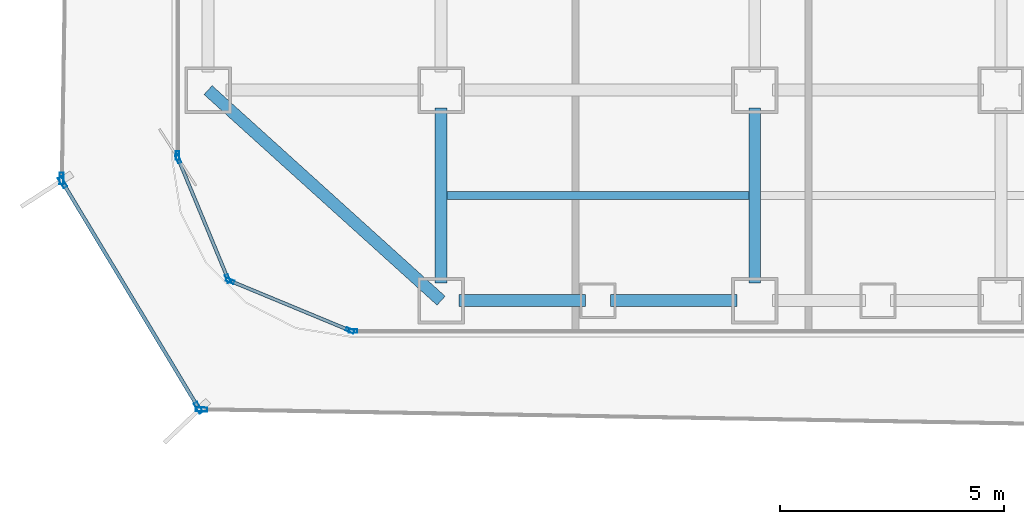
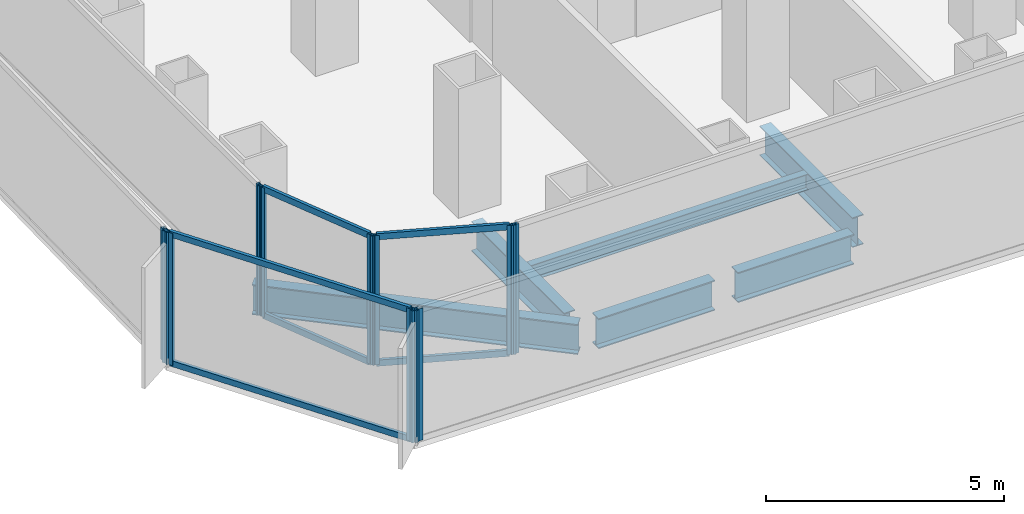
# One storey, part 2 of 22: 16 members, 6 beams, 7 elements without a shape of their own.
"""IFC4 building model written with IfcOpenShell, lengths in metres."""

from ifc_helpers import new_model, si_unit, direction, frame, origin, origin_2d, place, context, subcontext, project, spatial, hollow_rectangle, i_section, extrude, source, transform, mapped, material, layer, layer_set, material_profile, profile_set, type_object, element, aggregate, save


model = new_model("IFC4")

# Units and contexts
model_context = context("Model", 3, precision=1e-05, world=origin(), true_north=direction((0.0, 1.0)))
body_context = subcontext(model_context, "Body", "Model", "MODEL_VIEW")
ifc_project = project(units=[si_unit("LENGTHUNIT", "METRE"), si_unit("AREAUNIT", "SQUARE_METRE"), si_unit("VOLUMEUNIT", "CUBIC_METRE"), si_unit("PLANEANGLEUNIT", "RADIAN"), si_unit("MASSUNIT", "GRAM", prefix="KILO")], contexts=[model_context])

# Site, building, storey
site_placement = place(None, origin())
site = spatial("IfcSite", under=ifc_project, at=site_placement, CompositionType="ELEMENT")
building_placement = place(site_placement, origin())
building = spatial("IfcBuilding", under=site, at=building_placement, Name="Kolveth Station Tower", CompositionType="ELEMENT")
storey_placement = place(building_placement, frame((0.0, 0.0, 54.89990234375)))
storey = spatial("IfcBuildingStorey", under=building, at=storey_placement, Name="L14", CompositionType="ELEMENT", Elevation=54.89990234375)

# Beams
ifc_material_1 = material(Name="Steel S355", Category="steel")
ifc_material_profile_1 = material_profile(ifc_material_1, i_section(OverallWidth=0.26904296875, OverallDepth=0.77490234375, WebThickness=0.01708984375, FlangeThickness=0.0283203125, at=origin_2d()), Name="W760x220")
ifc_profile_set_1 = profile_set([ifc_material_profile_1], Name="Steel S355")
beam_type_1 = type_object("IfcBeamType", Name="Beam_SP1", PredefinedType="SPANDREL", material=ifc_profile_set_1)
shared_shape_1 = source(origin(), body_context, "Body", "SweptSolid", [
    extrude(i_section(OverallWidth=0.26904296875, OverallDepth=0.77490234375, WebThickness=0.01708984375, FlangeThickness=0.0283203125, at=origin_2d()), origin(), (0.0, 0.0, 1.0), 7.00927734375),
])
beam_1_placement = place(storey_placement, frame((0.800048828125, 5.5, -0.66748046875), z_axis=(0.741874009795, -0.670539300557, 0.0), x_axis=(0.670539300557, 0.741874009795, 0.0)))
element("IfcBeam", 1, at=beam_1_placement, inside=storey, type_object=beam_type_1, Name="L14 Corner Edge Girder BM-L14-CNR-SW", PredefinedType="SPANDREL", context=body_context, shape_type="MappedRepresentation", body=[
    mapped(shared_shape_1, transform((0.0, 0.0, 0.0), x_axis=(1.0, 0.0, 0.0), y_axis=(0.0, 1.0, 0.0), z_axis=(0.0, 0.0, 1.0), scale=1.0)),
])
shared_shape_2 = source(origin(), body_context, "Body", "SweptSolid", [
    extrude(i_section(OverallWidth=0.26904296875, OverallDepth=0.77490234375, WebThickness=0.01708984375, FlangeThickness=0.0283203125, at=origin_2d()), origin(), (0.0, 0.0, 1.0), 2.820068359375),
])
for number, where, z_axis, x_axis, name in (
    (2, (6.39990234375, 0.800048828125, -0.66748046875), (1.0, 0.0, 0.0), (0.0, 1.0, 0.0), "L14 Perimeter Spandrel BM-L14-PS-1"),
    (3, (9.780029296875, 0.800048828125, -0.66748046875), (1.0, 0.0, 0.0), (0.0, 1.0, 0.0), "L14 Perimeter Spandrel BM-L14-PS-2"),
):
    element("IfcBeam", number, at=place(storey_placement, frame(where, z_axis=z_axis, x_axis=x_axis)), inside=storey, type_object=beam_type_1, Name=name, PredefinedType="SPANDREL", context=body_context, shape_type="MappedRepresentation", body=[
        mapped(shared_shape_2, transform((0.0, 0.0, 0.0), x_axis=(1.0, 0.0, 0.0), y_axis=(0.0, 1.0, 0.0), z_axis=(0.0, 0.0, 1.0), scale=1.0)),
    ])
ifc_material_profile_2 = material_profile(ifc_material_1, i_section(OverallWidth=0.26708984375, OverallDepth=0.76611328125, WebThickness=0.014892578125, FlangeThickness=0.023681640625, at=origin_2d()), Name="W760x185")
ifc_profile_set_2 = profile_set([ifc_material_profile_2], Name="Steel S355")
beam_type_2 = type_object("IfcBeamType", Name="Beam_B3", PredefinedType="BEAM", material=ifc_profile_set_2)
shared_shape_3 = source(origin(), body_context, "Body", "SweptSolid", [
    extrude(i_section(OverallWidth=0.26708984375, OverallDepth=0.76611328125, WebThickness=0.014892578125, FlangeThickness=0.023681640625, at=origin_2d()), origin(), (0.0, 0.0, 1.0), 3.900146484375),
])
for number, where, z_axis, x_axis, name in (
    (4, (6.0, 1.199951171875, -0.662841796875), (0.0, 1.0, 0.0), (-1.0, 0.0, 0.0), "L14 Primary Girder BM-L14-GX60-1"),
    (5, (13.0, 1.199951171875, -0.662841796875), (0.0, 1.0, 0.0), (-1.0, 0.0, 0.0), "L14 Primary Girder BM-L14-GX130-1"),
):
    element("IfcBeam", number, at=place(storey_placement, frame(where, z_axis=z_axis, x_axis=x_axis)), inside=storey, type_object=beam_type_2, Name=name, PredefinedType="BEAM", context=body_context, shape_type="MappedRepresentation", body=[
        mapped(shared_shape_3, transform((0.0, 0.0, 0.0), x_axis=(1.0, 0.0, 0.0), y_axis=(0.0, 1.0, 0.0), z_axis=(0.0, 0.0, 1.0), scale=1.0)),
    ])
ifc_material_profile_3 = material_profile(ifc_material_1, i_section(OverallWidth=0.177978515625, OverallDepth=0.406982421875, WebThickness=0.0078125, FlangeThickness=0.0126953125, at=origin_2d()), Name="W410x60")
ifc_profile_set_3 = profile_set([ifc_material_profile_3], Name="Steel S355")
beam_type_3 = type_object("IfcBeamType", Name="Beam_J1", PredefinedType="JOIST", material=ifc_profile_set_3)
shared_shape_4 = source(origin(), body_context, "Body", "SweptSolid", [
    extrude(i_section(OverallWidth=0.177978515625, OverallDepth=0.406982421875, WebThickness=0.0078125, FlangeThickness=0.0126953125, at=origin_2d()), origin(), (0.0, 0.0, 1.0), 6.73681640625),
])
beam_2_placement = place(storey_placement, frame((6.131591796875, 3.14990234375, -0.4833984375), z_axis=(1.0, 0.0, 0.0), x_axis=(0.0, 1.0, 0.0)))
element("IfcBeam", 6, at=beam_2_placement, inside=storey, type_object=beam_type_3, Name="L14 Secondary Joist JST-L14-2-1", PredefinedType="JOIST", context=body_context, shape_type="MappedRepresentation", body=[
    mapped(shared_shape_4, transform((0.0, 0.0, 0.0), x_axis=(1.0, 0.0, 0.0), y_axis=(0.0, 1.0, 0.0), z_axis=(0.0, 0.0, 1.0), scale=1.0)),
])

# Curtain wall, member
ifc_material_2 = material(Name="Aluminium 6063-T6 and low-E dark glass", Category="aluminium")
ifc_layer_1 = layer(ifc_material_2, 0.179931640625)
ifc_layer_set_1 = layer_set([ifc_layer_1], Name="Aluminium 6063-T6 and low-E dark glass")
curtain_wall_type_1 = type_object("IfcCurtainWallType", Name="CurtainWall_CW-Z1", PredefinedType="NOTDEFINED", material=ifc_layer_set_1)
curtain_wall_1_placement = place(storey_placement, origin())
curtain_wall_1 = element("IfcCurtainWall", 7, at=curtain_wall_1_placement, inside=storey, type_object=curtain_wall_type_1, Name="L14 Inner Thermal Curtain Wall 9", PredefinedType="NOTDEFINED")
ifc_material_3 = material(Name="Black anodized aluminium 6063-T6", Category="aluminium")
ifc_material_profile_4 = material_profile(ifc_material_3, hollow_rectangle(XDim=0.074951171875, YDim=0.18994140625, WallThickness=0.0048828125, at=origin_2d()), Name="ALU-75x190x5")
ifc_profile_set_4 = profile_set([ifc_material_profile_4], Name="Black anodized aluminium 6063-T6")
member_type_1 = type_object("IfcMemberType", Name="Mullion_ML1", PredefinedType="MULLION", material=ifc_profile_set_4)
shared_shape_5 = source(origin(), body_context, "Body", "SweptSolid", [
    extrude(hollow_rectangle(XDim=0.074951171875, YDim=0.18994140625, WallThickness=0.0048828125, at=origin_2d()), origin(), (0.0, 0.0, 1.0), 3.320068359375),
])
member_1_placement = place(storey_placement, frame((0.1201171875, 4.03759765625, 0.0), z_axis=(0.0, 0.0, 1.0), x_axis=(1.0, 0.0, 0.0)))
member_1 = element("IfcMember", 8, at=member_1_placement, type_object=member_type_1, Name="CW-Z1 mullion 2", PredefinedType="MULLION", context=body_context, shape_type="MappedRepresentation", body=[
    mapped(shared_shape_5, transform((0.0, 0.0, 0.0), x_axis=(1.0, 0.0, 0.0), y_axis=(0.0, 1.0, 0.0), z_axis=(0.0, 0.0, 1.0), scale=1.0)),
])
aggregate(curtain_wall_1, [member_1])

# Curtain wall, members
curtain_wall_2_placement = place(storey_placement, origin())
curtain_wall_2 = element("IfcCurtainWall", 9, at=curtain_wall_2_placement, inside=storey, type_object=curtain_wall_type_1, Name="L14 Inner Thermal Curtain Wall 10", PredefinedType="NOTDEFINED")
member_2_placement = place(storey_placement, frame((0.13427734375, 3.96533203125, 0.0), z_axis=(0.0, 0.0, 1.0), x_axis=(0.923883857728, 0.382672990201, 0.0)))
member_2 = element("IfcMember", 10, at=member_2_placement, type_object=member_type_1, Name="CW-Z1 mullion 1", PredefinedType="MULLION", context=body_context, shape_type="MappedRepresentation", body=[
    mapped(shared_shape_5, transform((0.0, 0.0, 0.0), x_axis=(1.0, 0.0, 0.0), y_axis=(0.0, 1.0, 0.0), z_axis=(0.0, 0.0, 1.0), scale=1.0)),
])
member_3_placement = place(storey_placement, frame((1.241943359375, 1.291015625, 0.0), z_axis=(0.0, 0.0, 1.0), x_axis=(0.923883857728, 0.382672990201, 0.0)))
member_3 = element("IfcMember", 11, at=member_3_placement, type_object=member_type_1, Name="CW-Z1 mullion 2", PredefinedType="MULLION", context=body_context, shape_type="MappedRepresentation", body=[
    mapped(shared_shape_5, transform((0.0, 0.0, 0.0), x_axis=(1.0, 0.0, 0.0), y_axis=(0.0, 1.0, 0.0), z_axis=(0.0, 0.0, 1.0), scale=1.0)),
])

curtain_wall_3_placement = place(storey_placement, origin())
curtain_wall_3 = element("IfcCurtainWall", 12, at=curtain_wall_3_placement, inside=storey, type_object=curtain_wall_type_1, Name="L14 Inner Thermal Curtain Wall 11", PredefinedType="NOTDEFINED")
member_4_placement = place(storey_placement, frame((1.291015625, 1.241943359375, 0.0), z_axis=(0.0, 0.0, 1.0), x_axis=(0.382672990201, 0.923883857728, 0.0)))
member_4 = element("IfcMember", 13, at=member_4_placement, type_object=member_type_1, Name="CW-Z1 mullion 1", PredefinedType="MULLION", context=body_context, shape_type="MappedRepresentation", body=[
    mapped(shared_shape_5, transform((0.0, 0.0, 0.0), x_axis=(1.0, 0.0, 0.0), y_axis=(0.0, 1.0, 0.0), z_axis=(0.0, 0.0, 1.0), scale=1.0)),
])
member_5_placement = place(storey_placement, frame((3.96533203125, 0.13427734375, 0.0), z_axis=(0.0, 0.0, 1.0), x_axis=(0.382672990201, 0.923883857728, 0.0)))
member_5 = element("IfcMember", 14, at=member_5_placement, type_object=member_type_1, Name="CW-Z1 mullion 2", PredefinedType="MULLION", context=body_context, shape_type="MappedRepresentation", body=[
    mapped(shared_shape_5, transform((0.0, 0.0, 0.0), x_axis=(1.0, 0.0, 0.0), y_axis=(0.0, 1.0, 0.0), z_axis=(0.0, 0.0, 1.0), scale=1.0)),
])

# Curtain wall, member
curtain_wall_4_placement = place(storey_placement, origin())
curtain_wall_4 = element("IfcCurtainWall", 15, at=curtain_wall_4_placement, inside=storey, type_object=curtain_wall_type_1, Name="L14 Inner Thermal Curtain Wall 12", PredefinedType="NOTDEFINED")
member_6_placement = place(storey_placement, frame((4.03759765625, 0.1201171875, 0.0), z_axis=(0.0, 0.0, 1.0), x_axis=(0.0, 1.0, 0.0)))
member_6 = element("IfcMember", 16, at=member_6_placement, type_object=member_type_1, Name="CW-Z1 mullion 1", PredefinedType="MULLION", context=body_context, shape_type="MappedRepresentation", body=[
    mapped(shared_shape_5, transform((0.0, 0.0, 0.0), x_axis=(1.0, 0.0, 0.0), y_axis=(0.0, 1.0, 0.0), z_axis=(0.0, 0.0, 1.0), scale=1.0)),
])
aggregate(curtain_wall_4, [member_6])

# Member
ifc_material_profile_5 = material_profile(ifc_material_3, hollow_rectangle(XDim=0.074951171875, YDim=0.159912109375, WallThickness=0.0048828125, at=origin_2d()), Name="ALU-75x160x5")
ifc_profile_set_5 = profile_set([ifc_material_profile_5], Name="Black anodized aluminium 6063-T6")
member_type_2 = type_object("IfcMemberType", Name="Transom_TR1", PredefinedType="USERDEFINED", material=ifc_profile_set_5)
shared_shape_6 = source(origin(), body_context, "Body", "SweptSolid", [
    extrude(hollow_rectangle(XDim=0.074951171875, YDim=0.159912109375, WallThickness=0.0048828125, at=origin_2d()), origin(), (0.0, 0.0, 1.0), 2.819580078125),
])
member_7_placement = place(storey_placement, frame((0.148681640625, 3.9306640625, 0.03759765625), z_axis=(0.382708655389, -0.923869084389, 0.0), x_axis=(0.923869084389, 0.382708655389, 0.0)))
member_7 = element("IfcMember", 17, at=member_7_placement, type_object=member_type_2, Name="CW-Z1 transom 1.1", ObjectType="TRANSOM", PredefinedType="USERDEFINED", context=body_context, shape_type="MappedRepresentation", body=[
    mapped(shared_shape_6, transform((0.0, 0.0, 0.0), x_axis=(1.0, 0.0, 0.0), y_axis=(0.0, 1.0, 0.0), z_axis=(0.0, 0.0, 1.0), scale=1.0)),
])

member_8_placement = place(storey_placement, frame((0.148681640625, 3.9306640625, 3.28271484375), z_axis=(0.382708655389, -0.923869084389, 0.0), x_axis=(0.923869084389, 0.382708655389, 0.0)))
member_8 = element("IfcMember", 18, at=member_8_placement, type_object=member_type_2, Name="CW-Z1 transom 1.2", ObjectType="TRANSOM", PredefinedType="USERDEFINED", context=body_context, shape_type="MappedRepresentation", body=[
    mapped(shared_shape_6, transform((0.0, 0.0, 0.0), x_axis=(1.0, 0.0, 0.0), y_axis=(0.0, 1.0, 0.0), z_axis=(0.0, 0.0, 1.0), scale=1.0)),
])

aggregate(curtain_wall_2, [member_2, member_3, member_7, member_8])

member_9_placement = place(storey_placement, frame((1.32568359375, 1.227783203125, 0.03759765625), z_axis=(0.923869084389, -0.382708655389, 0.0), x_axis=(0.382708655389, 0.923869084389, 0.0)))
member_9 = element("IfcMember", 19, at=member_9_placement, type_object=member_type_2, Name="CW-Z1 transom 1.1", ObjectType="TRANSOM", PredefinedType="USERDEFINED", context=body_context, shape_type="MappedRepresentation", body=[
    mapped(shared_shape_6, transform((0.0, 0.0, 0.0), x_axis=(1.0, 0.0, 0.0), y_axis=(0.0, 1.0, 0.0), z_axis=(0.0, 0.0, 1.0), scale=1.0)),
])

member_10_placement = place(storey_placement, frame((1.32568359375, 1.227783203125, 3.28271484375), z_axis=(0.923869084389, -0.382708655389, 0.0), x_axis=(0.382708655389, 0.923869084389, 0.0)))
member_10 = element("IfcMember", 20, at=member_10_placement, type_object=member_type_2, Name="CW-Z1 transom 1.2", ObjectType="TRANSOM", PredefinedType="USERDEFINED", context=body_context, shape_type="MappedRepresentation", body=[
    mapped(shared_shape_6, transform((0.0, 0.0, 0.0), x_axis=(1.0, 0.0, 0.0), y_axis=(0.0, 1.0, 0.0), z_axis=(0.0, 0.0, 1.0), scale=1.0)),
])

aggregate(curtain_wall_3, [member_4, member_5, member_9, member_10])

# Curtain wall, member
ifc_material_4 = material(Name="Black anodized aluminium 6063-T6 and dark solar glass", Category="aluminium")
ifc_layer_2 = layer(ifc_material_4, 0.159912109375)
ifc_layer_set_2 = layer_set([ifc_layer_2], Name="Black anodized aluminium 6063-T6 and dark solar glass")
curtain_wall_type_2 = type_object("IfcCurtainWallType", Name="OUTER SKIN CW-OS", PredefinedType="NOTDEFINED", material=ifc_layer_set_2)
curtain_wall_5_placement = place(storey_placement, origin())
curtain_wall_5 = element("IfcCurtainWall", 21, at=curtain_wall_5_placement, inside=storey, type_object=curtain_wall_type_2, Name="L14 Outer Ventilated Skin Curtain Wall 6", PredefinedType="NOTDEFINED")
ifc_material_profile_6 = material_profile(ifc_material_3, hollow_rectangle(XDim=0.090087890625, YDim=0.260009765625, WallThickness=0.0048828125, at=origin_2d()), Name="ALU-90x260x5")
ifc_profile_set_6 = profile_set([ifc_material_profile_6], Name="Black anodized aluminium 6063-T6")
member_type_3 = type_object("IfcMemberType", Name="FIN MULLION ML-OS", PredefinedType="MULLION", material=ifc_profile_set_6)
shared_shape_7 = source(origin(), body_context, "Body", "SweptSolid", [
    extrude(hollow_rectangle(XDim=0.090087890625, YDim=0.260009765625, WallThickness=0.0048828125, at=origin_2d()), origin(), (0.0, 0.0, 1.0), 3.39013671875),
])
member_11_placement = place(storey_placement, frame((-2.468994140625, 3.525390625, 0.0), z_axis=(0.0, 0.0, 1.0), x_axis=(0.999877673024, -0.015640939495, 0.0)))
member_11 = element("IfcMember", 22, at=member_11_placement, type_object=member_type_3, Name="CW-OS mullion 2", PredefinedType="MULLION", context=body_context, shape_type="MappedRepresentation", body=[
    mapped(shared_shape_7, transform((0.0, 0.0, 0.0), x_axis=(1.0, 0.0, 0.0), y_axis=(0.0, 1.0, 0.0), z_axis=(0.0, 0.0, 1.0), scale=1.0)),
])
aggregate(curtain_wall_5, [member_11])

# Curtain wall, members
curtain_wall_6_placement = place(storey_placement, origin())
curtain_wall_6 = element("IfcCurtainWall", 23, at=curtain_wall_6_placement, inside=storey, type_object=curtain_wall_type_2, Name="L14 Outer Ventilated Skin Curtain Wall 7", PredefinedType="NOTDEFINED")
member_12_placement = place(storey_placement, frame((-2.4462890625, 3.44189453125, 0.0), z_axis=(0.0, 0.0, 1.0), x_axis=(0.856670378823, 0.515864189537, 0.0)))
member_12 = element("IfcMember", 24, at=member_12_placement, type_object=member_type_3, Name="CW-OS mullion 1", PredefinedType="MULLION", context=body_context, shape_type="MappedRepresentation", body=[
    mapped(shared_shape_7, transform((0.0, 0.0, 0.0), x_axis=(1.0, 0.0, 0.0), y_axis=(0.0, 1.0, 0.0), z_axis=(0.0, 0.0, 1.0), scale=1.0)),
])
member_13_placement = place(storey_placement, frame((0.58251953125, -1.587890625, 0.0), z_axis=(0.0, 0.0, 1.0), x_axis=(0.856670378823, 0.515864189537, 0.0)))
member_13 = element("IfcMember", 25, at=member_13_placement, type_object=member_type_3, Name="CW-OS mullion 2", PredefinedType="MULLION", context=body_context, shape_type="MappedRepresentation", body=[
    mapped(shared_shape_7, transform((0.0, 0.0, 0.0), x_axis=(1.0, 0.0, 0.0), y_axis=(0.0, 1.0, 0.0), z_axis=(0.0, 0.0, 1.0), scale=1.0)),
])

# Curtain wall, member
curtain_wall_7_placement = place(storey_placement, origin())
curtain_wall_7 = element("IfcCurtainWall", 26, at=curtain_wall_7_placement, inside=storey, type_object=curtain_wall_type_2, Name="L14 Outer Ventilated Skin Curtain Wall 8", PredefinedType="NOTDEFINED")
member_14_placement = place(storey_placement, frame((0.650634765625, -1.627197265625, 0.0), z_axis=(0.0, 0.0, 1.0), x_axis=(0.017338783395, 0.999849671996, 0.0)))
member_14 = element("IfcMember", 27, at=member_14_placement, type_object=member_type_3, Name="CW-OS mullion 1", PredefinedType="MULLION", context=body_context, shape_type="MappedRepresentation", body=[
    mapped(shared_shape_7, transform((0.0, 0.0, 0.0), x_axis=(1.0, 0.0, 0.0), y_axis=(0.0, 1.0, 0.0), z_axis=(0.0, 0.0, 1.0), scale=1.0)),
])
aggregate(curtain_wall_7, [member_14])

# Member
ifc_material_profile_7 = material_profile(ifc_material_3, hollow_rectangle(XDim=0.080078125, YDim=0.14990234375, WallThickness=0.0048828125, at=origin_2d()), Name="ALU-80x150x5")
ifc_profile_set_7 = profile_set([ifc_material_profile_7], Name="Black anodized aluminium 6063-T6")
member_type_4 = type_object("IfcMemberType", Name="Transom_TR-OS", PredefinedType="USERDEFINED", material=ifc_profile_set_7)
shared_shape_8 = source(origin(), body_context, "Body", "SweptSolid", [
    extrude(hollow_rectangle(XDim=0.080078125, YDim=0.14990234375, WallThickness=0.0048828125, at=origin_2d()), origin(), (0.0, 0.0, 1.0), 5.78125),
])
member_15_placement = place(storey_placement, frame((-2.423095703125, 3.4033203125, 0.0400390625), z_axis=(0.515873754562, -0.856664618946, 0.0), x_axis=(0.856664618946, 0.515873754562, 0.0)))
member_15 = element("IfcMember", 28, at=member_15_placement, type_object=member_type_4, Name="CW-OS transom 1.1", ObjectType="TRANSOM", PredefinedType="USERDEFINED", context=body_context, shape_type="MappedRepresentation", body=[
    mapped(shared_shape_8, transform((0.0, 0.0, 0.0), x_axis=(1.0, 0.0, 0.0), y_axis=(0.0, 1.0, 0.0), z_axis=(0.0, 0.0, 1.0), scale=1.0)),
])

member_16_placement = place(storey_placement, frame((-2.423095703125, 3.4033203125, 3.35009765625), z_axis=(0.515873754562, -0.856664618946, 0.0), x_axis=(0.856664618946, 0.515873754562, 0.0)))
member_16 = element("IfcMember", 29, at=member_16_placement, type_object=member_type_4, Name="CW-OS transom 1.2", ObjectType="TRANSOM", PredefinedType="USERDEFINED", context=body_context, shape_type="MappedRepresentation", body=[
    mapped(shared_shape_8, transform((0.0, 0.0, 0.0), x_axis=(1.0, 0.0, 0.0), y_axis=(0.0, 1.0, 0.0), z_axis=(0.0, 0.0, 1.0), scale=1.0)),
])

aggregate(curtain_wall_6, [member_12, member_13, member_15, member_16])

save(model, "model.ifc")
